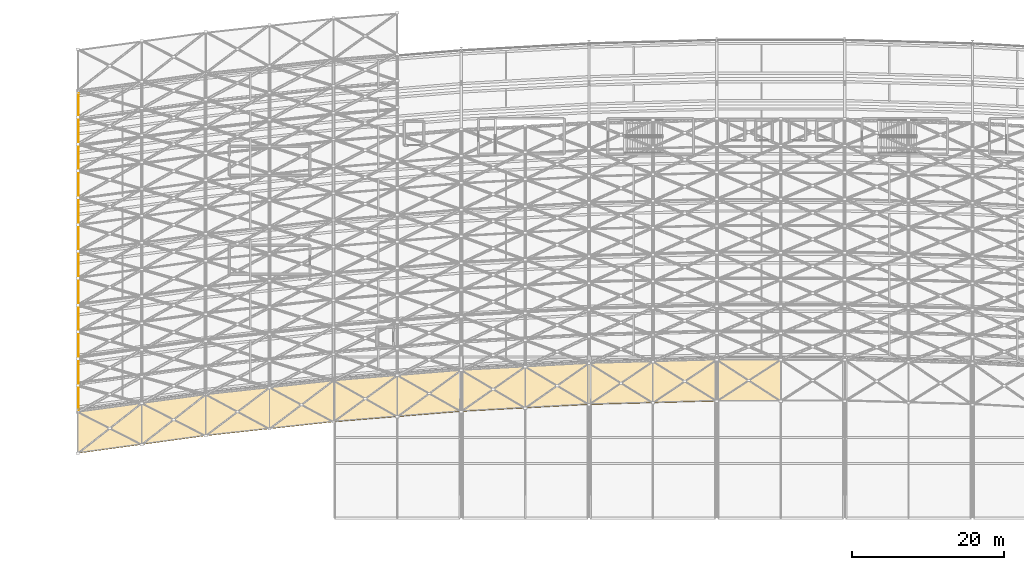
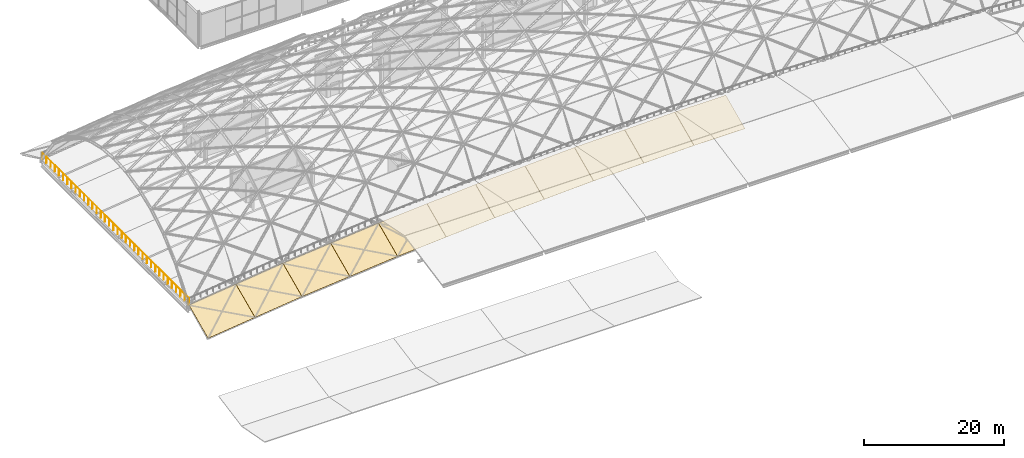
# One storey, part 90 of 100: 11 coverings, 1 railing, 6 elements without a shape of their own.
"""IFC4 building model written with IfcOpenShell, lengths in metres."""

from ifc_helpers import new_model, si_unit, direction, frame, origin, origin_2d, place, context, subcontext, project, spatial, polyline, circle, outline, extrude, material, layer, layer_set, type_object, element, aggregate, save


model = new_model("IFC4")

# Units and contexts
model_context = context("Model", 3, precision=1e-05, world=origin(), true_north=direction((0.0, 1.0)))
body_context = subcontext(model_context, "Body", "Model", "MODEL_VIEW")
ifc_project = project(units=[si_unit("LENGTHUNIT", "METRE"), si_unit("AREAUNIT", "SQUARE_METRE"), si_unit("VOLUMEUNIT", "CUBIC_METRE"), si_unit("PLANEANGLEUNIT", "RADIAN"), si_unit("MASSUNIT", "GRAM", prefix="KILO")], contexts=[model_context])

# Site, building, storey
site_placement = place(None, origin())
site = spatial("IfcSite", under=ifc_project, at=site_placement, CompositionType="ELEMENT")
building_placement = place(site_placement, origin())
building = spatial("IfcBuilding", under=site, at=building_placement, Name="Kimbaza Rail Terminus", CompositionType="ELEMENT")
storey_placement = place(building_placement, frame((0.0, 0.0, 10.800048828125)))
storey = spatial("IfcBuildingStorey", under=building, at=storey_placement, Name="L02", CompositionType="ELEMENT", Elevation=10.800048828125)

# Roof, coverings
ifc_material_1 = material(Name="White painted steel S355", Category="steel")
roof_type = type_object("IfcRoofType", Name="ARC-RF-BARREL", PredefinedType="BARREL_ROOF", material=ifc_material_1)
roof_1_placement = place(storey_placement, origin())
roof_1 = element("IfcRoof", 1, at=roof_1_placement, inside=storey, type_object=roof_type, Name="Train Shed Woven Barrel Vault Roof Bay 01", PredefinedType="BARREL_ROOF")
ifc_material_2 = material(Name="Pearl-white fluoropolymer standing-seam roofing", Category="aluminium")
ifc_layer = layer(ifc_material_2, 0.02490234375)
ifc_layer_set = layer_set([ifc_layer], Name="Pearl-white fluoropolymer standing-seam roofing")
covering_type = type_object("IfcCoveringType", Name="ARC-COV-VAULT", PredefinedType="ROOFING", material=ifc_layer_set)
covering_1_placement = place(storey_placement, frame((21.60498046875, 42.3203125, -2.377197265625), z_axis=(0.056562472149, -0.41314047139, 0.908909037057), x_axis=(0.990757747619, 0.135643228847, 0.0)))
covering_1 = element("IfcCovering", 2, at=covering_1_placement, type_object=covering_type, Name="Vault Standing-Seam Eave Roofing Bay 01", PredefinedType="ROOFING", context=body_context, shape_type="SweptSolid", body=[
    extrude(outline(polyline([(0.0, 0.0), (8.468403844339614, -2.220446049250313e-16), (9.214441602997093, 5.995283784997782), (0.7460377586574786, 5.995283784997782), (0.0, 0.0)])), origin(), (0.0, 0.0, -1.0), 0.02490234375),
])
covering_2_placement = place(storey_placement, frame((30.0048828125, 43.468994140625, -2.377197265625), z_axis=(0.056574455455, -0.413140190432, 0.908908418951), x_axis=(0.990753872834, 0.135671527834, 0.0)))
covering_2 = element("IfcCovering", 3, at=covering_2_placement, type_object=covering_type, Name="Vault Standing-Seam Eave Roofing Bay 01", PredefinedType="ROOFING", context=body_context, shape_type="SweptSolid", body=[
    extrude(outline(polyline([(0.0, 0.0), (8.468436963816755, 0.0), (9.214630366905743, 5.995264414951728), (0.7461934030889878, 5.995264414951728), (0.0, 0.0)])), origin(), (0.0, 0.0, -1.0), 0.02490234375),
])
aggregate(roof_1, [covering_1, covering_2])

roof_2_placement = place(storey_placement, origin())
roof_2 = element("IfcRoof", 4, at=roof_2_placement, inside=storey, type_object=roof_type, Name="Train Shed Woven Barrel Vault Roof Bay 02", PredefinedType="BARREL_ROOF")
covering_3_placement = place(storey_placement, frame((38.405029296875, 44.617919921875, -2.377197265625), z_axis=(0.045121314623, -0.413381492138, 0.909439282704), x_axis=(0.99409565406, 0.108507283526, 0.0)))
covering_3 = element("IfcCovering", 5, at=covering_3_placement, type_object=covering_type, Name="Vault Standing-Seam Eave Roofing Bay 02", PredefinedType="ROOFING", context=body_context, shape_type="SweptSolid", body=[
    extrude(outline(polyline([(0.0, 0.0), (8.439723626047915, 0.0), (9.036513685442438, 6.011974852326636), (0.5967900593945238, 6.011974852326636), (0.0, 0.0)])), origin(), (0.0, 0.0, -1.0), 0.02490234375),
])
covering_4_placement = place(storey_placement, frame((46.804931640625, 45.53369140625, -2.377197265625), z_axis=(0.045132008627, -0.413381292239, 0.909438842927), x_axis=(0.994092874093, 0.108532749334, 0.0)))
covering_4 = element("IfcCovering", 6, at=covering_4_placement, type_object=covering_type, Name="Vault Standing-Seam Eave Roofing Bay 02", PredefinedType="ROOFING", context=body_context, shape_type="SweptSolid", body=[
    extrude(outline(polyline([(0.0, 0.0), (8.439992818987536, 1.1102230246251565e-16), (9.036922940321972, 6.011960947165547), (0.5969301213344362, 6.011960947165546), (0.0, 0.0)])), origin(), (0.0, 0.0, -1.0), 0.02490234375),
])
aggregate(roof_2, [covering_3, covering_4])

roof_3_placement = place(storey_placement, origin())
roof_3 = element("IfcRoof", 7, at=roof_3_placement, inside=storey, type_object=roof_type, Name="Train Shed Woven Barrel Vault Roof Bay 03", PredefinedType="BARREL_ROOF")
covering_5_placement = place(storey_placement, frame((55.205078125, 46.44970703125, -2.377197265625), z_axis=(0.033768916948, -0.413566939027, 0.909847265859), x_axis=(0.996682983687, 0.081382000647, 0.0)))
covering_5 = element("IfcCovering", 8, at=covering_5_placement, type_object=covering_type, Name="Vault Standing-Seam Eave Roofing Bay 03", PredefinedType="ROOFING", context=body_context, shape_type="SweptSolid", body=[
    extrude(outline(polyline([(0.0, 0.0), (8.417814606496611, 0.0), (8.86541561005365, 6.024919363909756), (0.44760100355704097, 6.024919363909756), (0.0, 0.0)])), origin(), (0.0, 0.0, -1.0), 0.02490234375),
])
covering_6_placement = place(storey_placement, frame((63.60498046875, 47.134765625, -2.377197265625), z_axis=(0.033779955902, -0.413566784659, 0.90984692625), x_axis=(0.996680823009, 0.081408458074, 0.0)))
covering_6 = element("IfcCovering", 9, at=covering_6_placement, type_object=covering_type, Name="Vault Standing-Seam Eave Roofing Bay 03", PredefinedType="ROOFING", context=body_context, shape_type="SweptSolid", body=[
    extrude(outline(polyline([(0.0, 0.0), (8.418077808921636, 1.1102230246251565e-16), (8.865824328331074, 6.024908551534765), (0.4477465194094392, 6.024908551534765), (0.0, 0.0)])), origin(), (0.0, 0.0, -1.0), 0.02490234375),
])
aggregate(roof_3, [covering_5, covering_6])

roof_4_placement = place(storey_placement, origin())
roof_4 = element("IfcRoof", 10, at=roof_4_placement, inside=storey, type_object=roof_type, Name="Train Shed Woven Barrel Vault Roof Bay 04", PredefinedType="BARREL_ROOF")
covering_7_placement = place(storey_placement, frame((72.0048828125, 47.820068359375, -2.377197265625), z_axis=(0.022474973821, -0.413698420108, 0.910136524238), x_axis=(0.998527549756, 0.054246957324, 0.0)))
covering_7 = element("IfcCovering", 11, at=covering_7_placement, type_object=covering_type, Name="Vault Standing-Seam Eave Roofing Bay 04", PredefinedType="ROOFING", context=body_context, shape_type="SweptSolid", body=[
    extrude(outline(polyline([(0.0, 0.0), (8.402508995172782, 5.551115123125783e-17), (8.700867260454347, 6.034151335982401), (0.2983582652815654, 6.034151335982401), (0.0, 0.0)])), origin(), (0.0, 0.0, -1.0), 0.02490234375),
])
covering_8_placement = place(storey_placement, frame((80.405029296875, 48.27587890625, -2.377197265625), z_axis=(0.022487659777, -0.413698302063, 0.910136264538), x_axis=(0.998525889878, 0.054277502176, 0.0)))
covering_8 = element("IfcCovering", 12, at=covering_8_placement, type_object=covering_type, Name="Vault Standing-Seam Eave Roofing Bay 04", PredefinedType="ROOFING", context=body_context, shape_type="SweptSolid", body=[
    extrude(outline(polyline([(0.0, 0.0), (8.402278461849958, 5.551115123125783e-17), (8.700804723820301, 6.034143027051481), (0.2985262619703441, 6.034143027051481), (0.0, 0.0)])), origin(), (0.0, 0.0, -1.0), 0.02490234375),
])
aggregate(roof_4, [covering_7, covering_8])

roof_5_placement = place(storey_placement, origin())
roof_5 = element("IfcRoof", 13, at=roof_5_placement, inside=storey, type_object=roof_type, Name="Train Shed Woven Barrel Vault Roof Bay 05", PredefinedType="BARREL_ROOF")
covering_9_placement = place(storey_placement, frame((88.804931640625, 48.73193359375, -2.377197265625), z_axis=(0.011233596751, -0.413776833816, 0.910309034395), x_axis=(0.9996316715, 0.027138926541, 0.0)))
covering_9 = element("IfcCovering", 14, at=covering_9_placement, type_object=covering_type, Name="Vault Standing-Seam Eave Roofing Bay 05", PredefinedType="ROOFING", context=body_context, shape_type="SweptSolid", body=[
    extrude(outline(polyline([(0.0, 0.0), (8.393228183895808, 0.0), (8.54249227987157, 6.039678818418454), (0.1492640959757627, 6.039678818418454), (0.0, 0.0)])), origin(), (0.0, 0.0, -1.0), 0.02490234375),
])
covering_10_placement = place(storey_placement, frame((97.205078125, 48.959716796875, -2.377197265625), z_axis=(0.011221884471, -0.413776888235, 0.910309154118), x_axis=(0.99963243882, 0.027110648421, 0.0)))
covering_10 = element("IfcCovering", 15, at=covering_10_placement, type_object=covering_type, Name="Vault Standing-Seam Eave Roofing Bay 05", PredefinedType="ROOFING", context=body_context, shape_type="SweptSolid", body=[
    extrude(outline(polyline([(0.0, 0.0), (8.39297751083847, 2.7755575615628914e-17), (8.542086077152856, 6.0396826601611835), (0.14910856631438502, 6.0396826601611835), (0.0, 0.0)])), origin(), (0.0, 0.0, -1.0), 0.02490234375),
])
aggregate(roof_5, [covering_9, covering_10])

# Roof, covering
roof_6_placement = place(storey_placement, origin())
roof_6 = element("IfcRoof", 16, at=roof_6_placement, inside=storey, type_object=roof_type, Name="Train Shed Woven Barrel Vault Roof Bay 06", PredefinedType="BARREL_ROOF")
covering_11_placement = place(storey_placement, frame((105.60498046875, 49.187255859375, -2.377197265625), z_axis=(0.0, -0.413802944301, 0.910366477463), x_axis=(1.0, 0.0, 0.0)))
covering_11 = element("IfcCovering", 17, at=covering_11_placement, type_object=covering_type, Name="Vault Standing-Seam Eave Roofing Bay 06", PredefinedType="ROOFING", context=body_context, shape_type="SweptSolid", body=[
    extrude(outline(polyline([(0.0, 0.0), (8.39013671875, 0.0), (8.39013671875, 6.041522986797286), (0.0, 6.041522986797286), (0.0, 0.0)])), origin(), (0.0, 0.0, -1.0), 0.02490234375),
])
aggregate(roof_6, [covering_11])

# Railing
ifc_material_3 = material(Name="Painted galvanised steel platform perimeter guard", Category="steel")
railing_type = type_object("IfcRailingType", Name="ARC-RL-BAL115", PredefinedType="BALUSTRADE", material=ifc_material_3)
railing_placement = place(storey_placement, frame((21.699951171875, 47.97607421875, 0.0)))
element("IfcRailing", 18, at=railing_placement, inside=storey, type_object=railing_type, Name="Viaduct West End Safety Guard", PredefinedType="BALUSTRADE", context=body_context, shape_type="SweptSolid", body=[
    extrude(circle(Radius=0.02392578125, at=origin_2d()), frame((0.0, 0.0, 1.1259765625), z_axis=(0.0, 1.0, 0.0), x_axis=(-1.0, 0.0, 0.0)), (0.0, 0.0, 1.0), 41.7998046875),
    extrude(circle(Radius=0.02099609375, at=origin_2d()), origin(), (0.0, 0.0, 1.0), 1.101806640625),
    extrude(circle(Radius=0.02099609375, at=origin_2d()), frame((0.0, 1.1943359375, 0.0)), (0.0, 0.0, 1.0), 1.101806640625),
    extrude(circle(Radius=0.02099609375, at=origin_2d()), frame((0.0, 2.388671875, 0.0)), (0.0, 0.0, 1.0), 1.101806640625),
    extrude(circle(Radius=0.02099609375, at=origin_2d()), frame((0.0, 3.582763671875, 0.0)), (0.0, 0.0, 1.0), 1.101806640625),
    extrude(circle(Radius=0.02099609375, at=origin_2d()), frame((0.0, 4.777099609375, 0.0)), (0.0, 0.0, 1.0), 1.101806640625),
    extrude(circle(Radius=0.02099609375, at=origin_2d()), frame((0.0, 5.971435546875, 0.0)), (0.0, 0.0, 1.0), 1.101806640625),
    extrude(circle(Radius=0.02099609375, at=origin_2d()), frame((0.0, 7.165771484375, 0.0)), (0.0, 0.0, 1.0), 1.101806640625),
    extrude(circle(Radius=0.02099609375, at=origin_2d()), frame((0.0, 8.35986328125, 0.0)), (0.0, 0.0, 1.0), 1.101806640625),
    extrude(circle(Radius=0.02099609375, at=origin_2d()), frame((0.0, 9.55419921875, 0.0)), (0.0, 0.0, 1.0), 1.101806640625),
    extrude(circle(Radius=0.02099609375, at=origin_2d()), frame((0.0, 10.74853515625, 0.0)), (0.0, 0.0, 1.0), 1.101806640625),
    extrude(circle(Radius=0.02099609375, at=origin_2d()), frame((0.0, 11.94287109375, 0.0)), (0.0, 0.0, 1.0), 1.101806640625),
    extrude(circle(Radius=0.02099609375, at=origin_2d()), frame((0.0, 13.136962890625, 0.0)), (0.0, 0.0, 1.0), 1.101806640625),
    extrude(circle(Radius=0.02099609375, at=origin_2d()), frame((0.0, 14.331298828125, 0.0)), (0.0, 0.0, 1.0), 1.101806640625),
    extrude(circle(Radius=0.02099609375, at=origin_2d()), frame((0.0, 15.525634765625, 0.0)), (0.0, 0.0, 1.0), 1.101806640625),
    extrude(circle(Radius=0.02099609375, at=origin_2d()), frame((0.0, 16.719970703125, 0.0)), (0.0, 0.0, 1.0), 1.101806640625),
    extrude(circle(Radius=0.02099609375, at=origin_2d()), frame((0.0, 17.914306640625, 0.0)), (0.0, 0.0, 1.0), 1.101806640625),
    extrude(circle(Radius=0.02099609375, at=origin_2d()), frame((0.0, 19.1083984375, 0.0)), (0.0, 0.0, 1.0), 1.101806640625),
    extrude(circle(Radius=0.02099609375, at=origin_2d()), frame((0.0, 20.302734375, 0.0)), (0.0, 0.0, 1.0), 1.101806640625),
    extrude(circle(Radius=0.02099609375, at=origin_2d()), frame((0.0, 21.4970703125, 0.0)), (0.0, 0.0, 1.0), 1.101806640625),
    extrude(circle(Radius=0.02099609375, at=origin_2d()), frame((0.0, 22.69140625, 0.0)), (0.0, 0.0, 1.0), 1.101806640625),
    extrude(circle(Radius=0.02099609375, at=origin_2d()), frame((0.0, 23.885498046875, 0.0)), (0.0, 0.0, 1.0), 1.101806640625),
    extrude(circle(Radius=0.02099609375, at=origin_2d()), frame((0.0, 25.079833984375, 0.0)), (0.0, 0.0, 1.0), 1.101806640625),
    extrude(circle(Radius=0.02099609375, at=origin_2d()), frame((0.0, 26.274169921875, 0.0)), (0.0, 0.0, 1.0), 1.101806640625),
    extrude(circle(Radius=0.02099609375, at=origin_2d()), frame((0.0, 27.468505859375, 0.0)), (0.0, 0.0, 1.0), 1.101806640625),
    extrude(circle(Radius=0.02099609375, at=origin_2d()), frame((0.0, 28.662841796875, 0.0)), (0.0, 0.0, 1.0), 1.101806640625),
    extrude(circle(Radius=0.02099609375, at=origin_2d()), frame((0.0, 29.85693359375, 0.0)), (0.0, 0.0, 1.0), 1.101806640625),
    extrude(circle(Radius=0.02099609375, at=origin_2d()), frame((0.0, 31.05126953125, 0.0)), (0.0, 0.0, 1.0), 1.101806640625),
    extrude(circle(Radius=0.02099609375, at=origin_2d()), frame((0.0, 32.24560546875, 0.0)), (0.0, 0.0, 1.0), 1.101806640625),
    extrude(circle(Radius=0.02099609375, at=origin_2d()), frame((0.0, 33.43994140625, 0.0)), (0.0, 0.0, 1.0), 1.101806640625),
    extrude(circle(Radius=0.02099609375, at=origin_2d()), frame((0.0, 34.634033203125, 0.0)), (0.0, 0.0, 1.0), 1.101806640625),
    extrude(circle(Radius=0.02099609375, at=origin_2d()), frame((0.0, 35.828369140625, 0.0)), (0.0, 0.0, 1.0), 1.101806640625),
    extrude(circle(Radius=0.02099609375, at=origin_2d()), frame((0.0, 37.022705078125, 0.0)), (0.0, 0.0, 1.0), 1.101806640625),
    extrude(circle(Radius=0.02099609375, at=origin_2d()), frame((0.0, 38.217041015625, 0.0)), (0.0, 0.0, 1.0), 1.101806640625),
    extrude(circle(Radius=0.02099609375, at=origin_2d()), frame((0.0, 39.4111328125, 0.0)), (0.0, 0.0, 1.0), 1.101806640625),
    extrude(circle(Radius=0.02099609375, at=origin_2d()), frame((0.0, 40.60546875, 0.0)), (0.0, 0.0, 1.0), 1.101806640625),
    extrude(circle(Radius=0.02099609375, at=origin_2d()), frame((0.0, 41.7998046875, 0.0)), (0.0, 0.0, 1.0), 1.101806640625),
])

save(model, "model.ifc")
